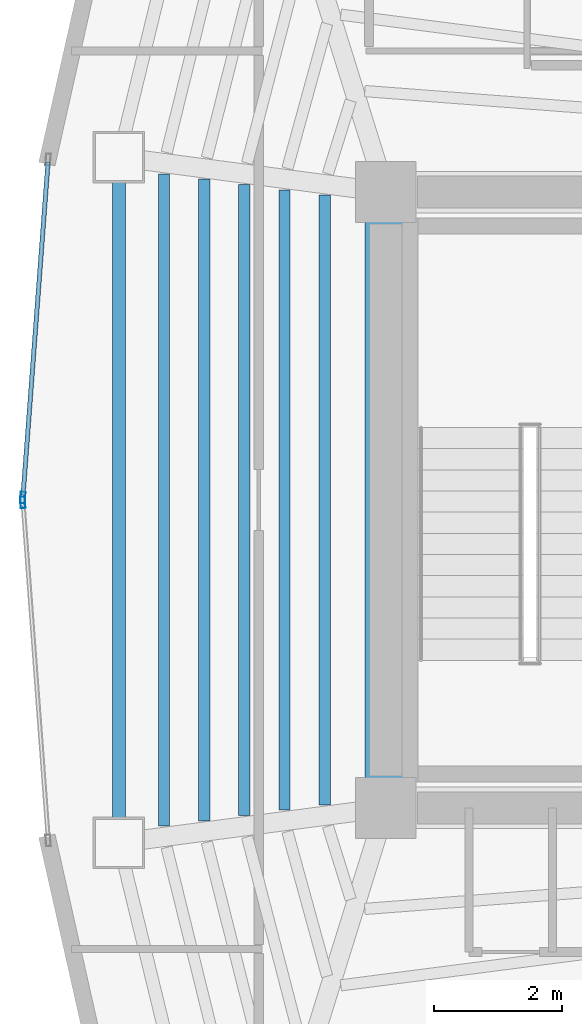
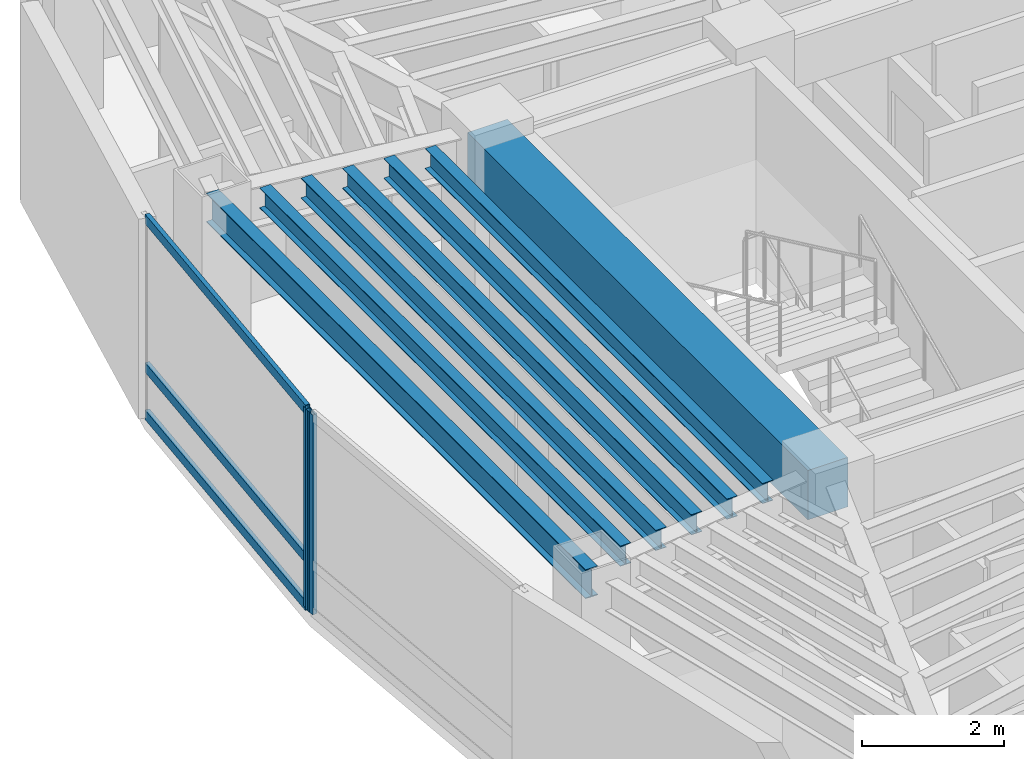
# One storey, part 3 of 17: 7 beams, 5 members, 2 elements without a shape of their own.
"""IFC4 building model written with IfcOpenShell, lengths in metres."""

from ifc_helpers import new_model, si_unit, direction, frame, origin, origin_2d, place, context, subcontext, project, spatial, rectangle, hollow_rectangle, i_section, extrude, material, layer, layer_set, material_profile, profile_set, type_object, element, aggregate, save


model = new_model("IFC4")

# Units and contexts
model_context = context("Model", 3, precision=1e-05, world=origin(), true_north=direction((0.0, 1.0)))
body_context = subcontext(model_context, "Body", "Model", "MODEL_VIEW")
ifc_project = project(units=[si_unit("LENGTHUNIT", "METRE"), si_unit("AREAUNIT", "SQUARE_METRE"), si_unit("VOLUMEUNIT", "CUBIC_METRE"), si_unit("PLANEANGLEUNIT", "RADIAN"), si_unit("MASSUNIT", "GRAM", prefix="KILO")], contexts=[model_context])

# Site, building, storey
site_placement = place(None, origin())
site = spatial("IfcSite", under=ifc_project, at=site_placement, CompositionType="ELEMENT")
building_placement = place(site_placement, origin())
building = spatial("IfcBuilding", under=site, at=building_placement, Name="Menara Vayukalpa", CompositionType="ELEMENT")
storey_placement = place(building_placement, frame((0.0, 0.0, 234.419921875)))
storey = spatial("IfcBuildingStorey", under=building, at=storey_placement, Name="L59", CompositionType="ELEMENT", Elevation=234.419921875)

# Beams
ifc_material_1 = material(Name="Concrete C60/75", Category="concrete")
ifc_material_profile_1 = material_profile(ifc_material_1, rectangle(XDim=0.64990234375, YDim=0.85009765625, at=origin_2d()), Name="RC 650x850")
ifc_profile_set_1 = profile_set([ifc_material_profile_1], Name="Concrete C60/75")
beam_type_1 = type_object("IfcBeamType", Name="BM-CB1", PredefinedType="BEAM", material=ifc_profile_set_1)
beam_1_placement = place(storey_placement, frame((17.800048828125, 17.199951171875, 3.01513671875), z_axis=(0.0, 1.0, 0.0), x_axis=(-1.0, 0.0, 0.0)))
element("IfcBeam", 1, at=beam_1_placement, inside=storey, type_object=beam_type_1, Name="L59 Core Tie Beam CBR7", PredefinedType="BEAM", context=body_context, shape_type="SweptSolid", body=[
    extrude(rectangle(XDim=0.64990234375, YDim=0.85009765625, at=origin_2d()), origin(), (0.0, 0.0, 1.0), 9.60009765625),
])
ifc_material_2 = material(Name="Steel S355", Category="steel")
ifc_material_profile_2 = material_profile(ifc_material_2, i_section(OverallWidth=0.175048828125, OverallDepth=0.35009765625, WebThickness=0.007080078125, FlangeThickness=0.010986328125, at=origin_2d()), Name="WF 350x175x7x11")
ifc_profile_set_2 = profile_set([ifc_material_profile_2], Name="Steel S355")
beam_type_2 = type_object("IfcBeamType", Name="BM-SJ3", PredefinedType="JOIST", material=ifc_profile_set_2)
beam_2_placement = place(storey_placement, frame((16.84765625, 26.755126953125, 3.26513671875), z_axis=(0.0, -1.0, 0.0), x_axis=(1.0, 0.0, 0.0)))
element("IfcBeam", 2, at=beam_2_placement, inside=storey, type_object=beam_type_2, Name="L59 Secondary Floor Joist SJ05-1", PredefinedType="JOIST", context=body_context, shape_type="SweptSolid", body=[
    extrude(i_section(OverallWidth=0.175048828125, OverallDepth=0.35009765625, WebThickness=0.007080078125, FlangeThickness=0.010986328125, at=origin_2d()), origin(), (0.0, 0.0, 1.0), 9.51025390625),
])
beam_3_placement = place(storey_placement, frame((16.2216796875, 26.83740234375, 3.26513671875), z_axis=(0.0, -1.0, 0.0), x_axis=(1.0, 0.0, 0.0)))
element("IfcBeam", 3, at=beam_3_placement, inside=storey, type_object=beam_type_2, Name="L59 Secondary Floor Joist SJ05-2", PredefinedType="JOIST", context=body_context, shape_type="SweptSolid", body=[
    extrude(i_section(OverallWidth=0.175048828125, OverallDepth=0.35009765625, WebThickness=0.007080078125, FlangeThickness=0.010986328125, at=origin_2d()), origin(), (0.0, 0.0, 1.0), 9.6748046875),
])
beam_4_placement = place(storey_placement, frame((15.595458984375, 26.919677734375, 3.26513671875), z_axis=(0.0, -1.0, 0.0), x_axis=(1.0, 0.0, 0.0)))
element("IfcBeam", 4, at=beam_4_placement, inside=storey, type_object=beam_type_2, Name="L59 Secondary Floor Joist SJ05-3", PredefinedType="JOIST", context=body_context, shape_type="SweptSolid", body=[
    extrude(i_section(OverallWidth=0.175048828125, OverallDepth=0.35009765625, WebThickness=0.007080078125, FlangeThickness=0.010986328125, at=origin_2d()), origin(), (0.0, 0.0, 1.0), 9.83935546875),
])
beam_5_placement = place(storey_placement, frame((14.969482421875, 27.001953125, 3.26513671875), z_axis=(0.0, -1.0, 0.0), x_axis=(1.0, 0.0, 0.0)))
element("IfcBeam", 5, at=beam_5_placement, inside=storey, type_object=beam_type_2, Name="L59 Secondary Floor Joist SJ05-4", PredefinedType="JOIST", context=body_context, shape_type="SweptSolid", body=[
    extrude(i_section(OverallWidth=0.175048828125, OverallDepth=0.35009765625, WebThickness=0.007080078125, FlangeThickness=0.010986328125, at=origin_2d()), origin(), (0.0, 0.0, 1.0), 10.00390625),
])
beam_6_placement = place(storey_placement, frame((14.343505859375, 27.084228515625, 3.26513671875), z_axis=(0.0, -1.0, 0.0), x_axis=(1.0, 0.0, 0.0)))
element("IfcBeam", 6, at=beam_6_placement, inside=storey, type_object=beam_type_2, Name="L59 Secondary Floor Joist SJ05-5", PredefinedType="JOIST", context=body_context, shape_type="SweptSolid", body=[
    extrude(i_section(OverallWidth=0.175048828125, OverallDepth=0.35009765625, WebThickness=0.007080078125, FlangeThickness=0.010986328125, at=origin_2d()), origin(), (0.0, 0.0, 1.0), 10.16845703125),
])
ifc_material_3 = material(Name="Steel S355", Category="steel")
ifc_material_profile_3 = material_profile(ifc_material_3, i_section(OverallWidth=0.199951171875, OverallDepth=0.5, WebThickness=0.010009765625, FlangeThickness=0.01611328125, at=origin_2d()), Name="WF 500x200x10x16")
ifc_profile_set_3 = profile_set([ifc_material_profile_3], Name="Steel S355")
beam_type_3 = type_object("IfcBeamType", Name="BM-SP3", PredefinedType="SPANDREL", material=ifc_profile_set_3)
beam_7_placement = place(storey_placement, frame((13.638916015625, 27.3466796875, 3.190185546875), z_axis=(0.0, -1.0, 0.0), x_axis=(1.0, 0.0, 0.0)))
element("IfcBeam", 7, at=beam_7_placement, inside=storey, type_object=beam_type_3, Name="L59 Perimeter Spandrel Beam SP05", PredefinedType="SPANDREL", context=body_context, shape_type="SweptSolid", body=[
    extrude(i_section(OverallWidth=0.199951171875, OverallDepth=0.5, WebThickness=0.010009765625, FlangeThickness=0.01611328125, at=origin_2d()), origin(), (0.0, 0.0, 1.0), 10.693359375),
])

# Curtain wall, member
ifc_material_4 = material(Name="Anodised Terracotta Aluminium Alloy 6063-T6", Category="masonry")
ifc_layer = layer(ifc_material_4, 0.179931640625)
ifc_layer_set = layer_set([ifc_layer], Name="Anodised Terracotta Aluminium Alloy 6063-T6")
curtain_wall_type = type_object("IfcCurtainWallType", Name="CW-CW4", PredefinedType="USERDEFINED", material=ifc_layer_set)
curtain_wall_1_placement = place(storey_placement, origin())
curtain_wall_1 = element("IfcCurtainWall", 8, at=curtain_wall_1_placement, inside=storey, type_object=curtain_wall_type, Name="L59 Sky Bar Cantilever Glazed Curtain Wall CW4 10", ObjectType="UNITISED", PredefinedType="USERDEFINED")
ifc_material_5 = material(Name="Anodised Terracotta Aluminium Alloy 6063-T6", Category="masonry")
ifc_material_profile_4 = material_profile(ifc_material_5, hollow_rectangle(XDim=0.074951171875, YDim=0.179931640625, WallThickness=0.00390625, at=origin_2d()), Name="ALU 75x180x4")
ifc_profile_set_4 = profile_set([ifc_material_profile_4], Name="Anodised Terracotta Aluminium Alloy 6063-T6")
member_type_1 = type_object("IfcMemberType", Name="CWM-CW4", PredefinedType="MULLION", material=ifc_profile_set_4)
member_1_placement = place(storey_placement, frame((12.140869140625, 22.037353515625, 0.0), z_axis=(0.0, 0.0, 1.0), x_axis=(0.997199344663, -0.074789484574, 0.0)))
member_1 = element("IfcMember", 9, at=member_1_placement, type_object=member_type_1, Name="CW4 mullion 2", PredefinedType="MULLION", context=body_context, shape_type="SweptSolid", body=[
    extrude(hollow_rectangle(XDim=0.074951171875, YDim=0.179931640625, WallThickness=0.00390625, at=origin_2d()), origin(), (0.0, 0.0, 1.0), 3.440185546875),
])

curtain_wall_2_placement = place(storey_placement, origin())
curtain_wall_2 = element("IfcCurtainWall", 10, at=curtain_wall_2_placement, inside=storey, type_object=curtain_wall_type, Name="L59 Sky Bar Cantilever Glazed Curtain Wall CW4 11", ObjectType="UNITISED", PredefinedType="USERDEFINED")
member_2_placement = place(storey_placement, frame((12.140869140625, 21.962646484375, 0.0), z_axis=(0.0, 0.0, 1.0), x_axis=(0.997199344663, 0.074789484574, 0.0)))
member_2 = element("IfcMember", 11, at=member_2_placement, type_object=member_type_1, Name="CW4 mullion 1", PredefinedType="MULLION", context=body_context, shape_type="SweptSolid", body=[
    extrude(hollow_rectangle(XDim=0.074951171875, YDim=0.179931640625, WallThickness=0.00390625, at=origin_2d()), origin(), (0.0, 0.0, 1.0), 3.440185546875),
])
aggregate(curtain_wall_2, [member_2])

# Member
ifc_material_6 = material(Name="Anodised Terracotta Aluminium Alloy 6063-T6", Category="masonry")
ifc_material_profile_5 = material_profile(ifc_material_6, hollow_rectangle(XDim=0.070068359375, YDim=0.1650390625, WallThickness=0.00390625, at=origin_2d()), Name="ALU 70x165x4")
ifc_profile_set_5 = profile_set([ifc_material_profile_5], Name="Anodised Terracotta Aluminium Alloy 6063-T6")
member_type_2 = type_object("IfcMemberType", Name="CWT-CW4", PredefinedType="USERDEFINED", material=ifc_profile_set_5)
member_3_placement = place(storey_placement, frame((12.533447265625, 27.27197265625, 0.03515625), z_axis=(-0.074808580699, -0.997197912279, 0.0), x_axis=(0.997197912279, -0.074808580699, 0.0)))
member_3 = element("IfcMember", 12, at=member_3_placement, type_object=member_type_2, Name="CW4 transom 1.1", ObjectType="TRANSOM", PredefinedType="USERDEFINED", context=body_context, shape_type="SweptSolid", body=[
    extrude(hollow_rectangle(XDim=0.070068359375, YDim=0.1650390625, WallThickness=0.00390625, at=origin_2d()), origin(), (0.0, 0.0, 1.0), 5.2119140625),
])

member_4_placement = place(storey_placement, frame((12.533447265625, 27.27197265625, 0.85009765625), z_axis=(-0.074808580699, -0.997197912279, 0.0), x_axis=(0.997197912279, -0.074808580699, 0.0)))
member_4 = element("IfcMember", 13, at=member_4_placement, type_object=member_type_2, Name="CW4 transom 1.2", ObjectType="TRANSOM", PredefinedType="USERDEFINED", context=body_context, shape_type="SweptSolid", body=[
    extrude(hollow_rectangle(XDim=0.070068359375, YDim=0.1650390625, WallThickness=0.00390625, at=origin_2d()), origin(), (0.0, 0.0, 1.0), 5.2119140625),
])

member_5_placement = place(storey_placement, frame((12.533447265625, 27.27197265625, 3.405029296875), z_axis=(-0.074808580699, -0.997197912279, 0.0), x_axis=(0.997197912279, -0.074808580699, 0.0)))
member_5 = element("IfcMember", 14, at=member_5_placement, type_object=member_type_2, Name="CW4 transom 1.3", ObjectType="TRANSOM", PredefinedType="USERDEFINED", context=body_context, shape_type="SweptSolid", body=[
    extrude(hollow_rectangle(XDim=0.070068359375, YDim=0.1650390625, WallThickness=0.00390625, at=origin_2d()), origin(), (0.0, 0.0, 1.0), 5.2119140625),
])

aggregate(curtain_wall_1, [member_1, member_3, member_4, member_5])

save(model, "model.ifc")
